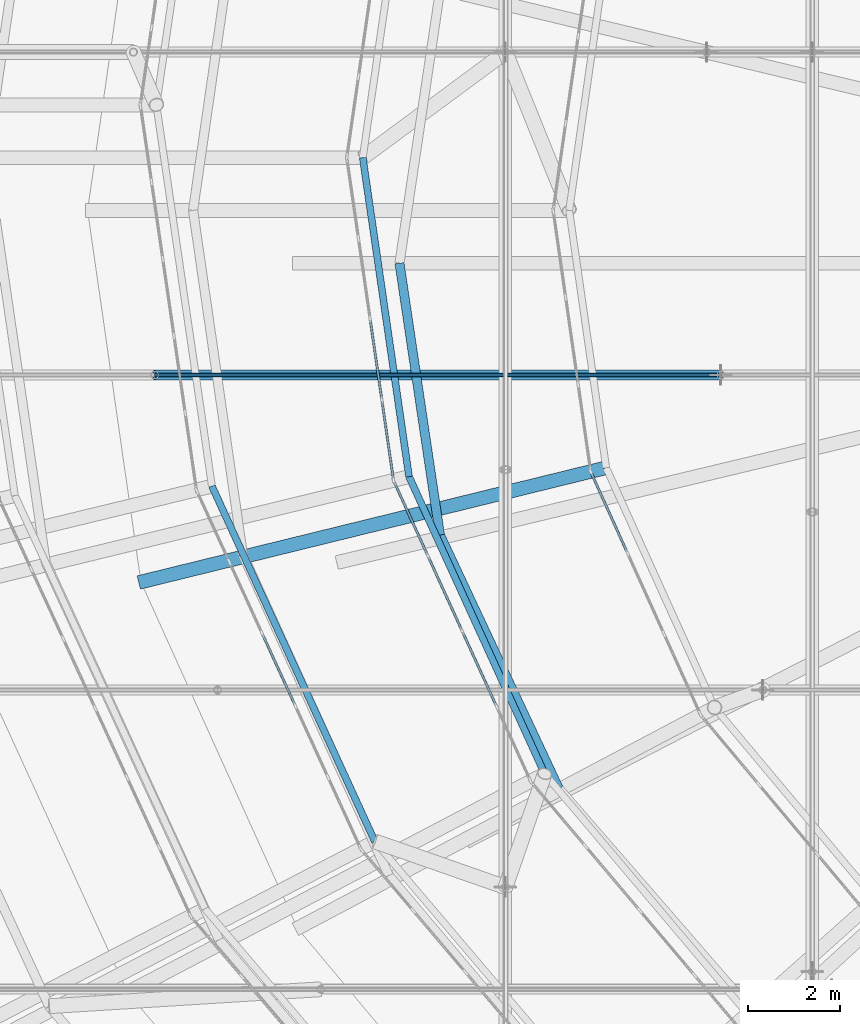
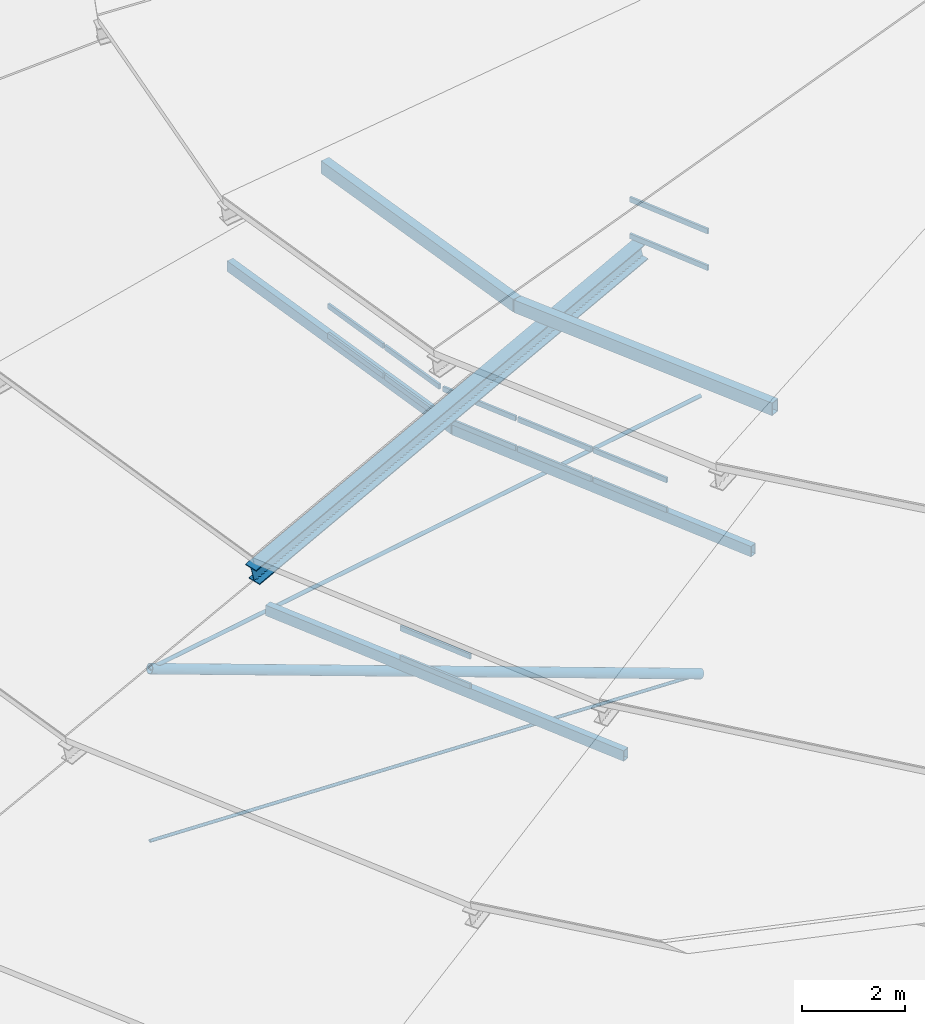
# One storey, part 34 of 173: 23 members, 4 elements without a shape of their own.
"""IFC4 building model written with IfcOpenShell, lengths in metres."""

from ifc_helpers import new_model, si_unit, direction, frame, origin, origin_2d, place, context, subcontext, project, spatial, rectangle, hollow_rectangle, circle, hollow_circle, i_section, extrude, material, material_profile, profile_set, type_object, element, aggregate, save


model = new_model("IFC4")

# Units and contexts
model_context = context("Model", 3, precision=1e-05, world=origin(), true_north=direction((0.0, 1.0)))
body_context = subcontext(model_context, "Body", "Model", "MODEL_VIEW")
ifc_project = project(units=[si_unit("LENGTHUNIT", "METRE"), si_unit("AREAUNIT", "SQUARE_METRE"), si_unit("VOLUMEUNIT", "CUBIC_METRE"), si_unit("PLANEANGLEUNIT", "RADIAN"), si_unit("MASSUNIT", "GRAM", prefix="KILO")], contexts=[model_context])

# Site, building, storey
site_placement = place(None, origin())
site = spatial("IfcSite", under=ifc_project, at=site_placement, CompositionType="ELEMENT")
building_placement = place(site_placement, origin())
building = spatial("IfcBuilding", under=site, at=building_placement, Name="Glasvene Arena", CompositionType="ELEMENT")
storey_placement = place(building_placement, frame((0.0, 0.0, 28.800048828125)))
storey = spatial("IfcBuildingStorey", under=building, at=storey_placement, Name="RF", CompositionType="ELEMENT", Elevation=28.800048828125)

# Curtain wall, members
ifc_material_1 = material(Name="Low-emissivity laminated double glazing", Category="glass")
curtain_wall_type_1 = type_object("IfcCurtainWallType", Name="CW-PET2-861x75", PredefinedType="USERDEFINED", material=ifc_material_1)
curtain_wall_1_placement = place(storey_placement, frame((55.873291015625, 63.451416015625, 0.0)))
curtain_wall_1 = element("IfcCurtainWall", 1, at=curtain_wall_1_placement, inside=storey, type_object=curtain_wall_type_1, Name="Petal ring 2-3 clerestory curtain wall 14", ObjectType="CURTAIN WALL", PredefinedType="USERDEFINED")
ifc_material_2 = material(Name="Anodised architectural aluminium", Category="aluminium")
ifc_material_profile_1 = material_profile(ifc_material_2, rectangle(XDim=0.050048828125, YDim=0.1201171875, at=origin_2d()), Name="ALU TRANSOM 50x120")
ifc_profile_set_1 = profile_set([ifc_material_profile_1], Name="Anodised architectural aluminium")
member_type_1 = type_object("IfcMemberType", Name="CW-TRN-120", PredefinedType="USERDEFINED", material=ifc_profile_set_1)
member_1_placement = place(storey_placement, frame((57.318359375, 60.298095703125, 5.204833984375), z_axis=(0.416518928458, -0.909127044057, 0.0), x_axis=(0.909127044057, 0.416518928458, 0.0)))
member_1 = element("IfcMember", 2, at=member_1_placement, type_object=member_type_1, Name="CW-088 transom 3.1", ObjectType="TRANSOM", PredefinedType="USERDEFINED", context=body_context, shape_type="SweptSolid", body=[
    extrude(rectangle(XDim=0.050048828125, YDim=0.1201171875, at=origin_2d()), origin(), (0.0, 0.0, 1.0), 1.671630859375),
])
member_2_placement = place(storey_placement, frame((57.318359375, 60.298095703125, 5.905029296875), z_axis=(0.416518928458, -0.909127044057, 0.0), x_axis=(0.909127044057, 0.416518928458, 0.0)))
member_2 = element("IfcMember", 3, at=member_2_placement, type_object=member_type_1, Name="CW-088 transom 3.2", ObjectType="TRANSOM", PredefinedType="USERDEFINED", context=body_context, shape_type="SweptSolid", body=[
    extrude(rectangle(XDim=0.050048828125, YDim=0.1201171875, at=origin_2d()), origin(), (0.0, 0.0, 1.0), 1.671630859375),
])
aggregate(curtain_wall_1, [member_1, member_2])

curtain_wall_type_2 = type_object("IfcCurtainWallType", Name="CW-PET3-711x75", PredefinedType="USERDEFINED", material=ifc_material_1)
curtain_wall_2_placement = place(storey_placement, frame((59.14990234375, 70.699951171875, 0.0)))
curtain_wall_2 = element("IfcCurtainWall", 4, at=curtain_wall_2_placement, inside=storey, type_object=curtain_wall_type_2, Name="Petal ring 3-4 clerestory curtain wall 13", ObjectType="CURTAIN WALL", PredefinedType="USERDEFINED")
member_3_placement = place(storey_placement, frame((59.663818359375, 67.1552734375, 7.85498046875), z_axis=(0.143517295736, -0.989647808983, 0.0), x_axis=(0.989647808983, 0.143517295736, 0.0)))
member_3 = element("IfcMember", 5, at=member_3_placement, type_object=member_type_1, Name="CW-093 transom 3.1", ObjectType="TRANSOM", PredefinedType="USERDEFINED", context=body_context, shape_type="SweptSolid", body=[
    extrude(rectangle(XDim=0.050048828125, YDim=0.1201171875, at=origin_2d()), origin(), (0.0, 0.0, 1.0), 1.728271484375),
])
member_4_placement = place(storey_placement, frame((59.663818359375, 67.1552734375, 8.554931640625), z_axis=(0.143517295736, -0.989647808983, 0.0), x_axis=(0.989647808983, 0.143517295736, 0.0)))
member_4 = element("IfcMember", 6, at=member_4_placement, type_object=member_type_1, Name="CW-093 transom 3.2", ObjectType="TRANSOM", PredefinedType="USERDEFINED", context=body_context, shape_type="SweptSolid", body=[
    extrude(rectangle(XDim=0.050048828125, YDim=0.1201171875, at=origin_2d()), origin(), (0.0, 0.0, 1.0), 1.728271484375),
])
member_5_placement = place(storey_placement, frame((59.9189453125, 65.395263671875, 7.85498046875), z_axis=(0.143467726456, -0.989654996181, 0.0), x_axis=(0.989654996181, 0.143467726456, 0.0)))
member_5 = element("IfcMember", 7, at=member_5_placement, type_object=member_type_1, Name="CW-093 transom 4.1", ObjectType="TRANSOM", PredefinedType="USERDEFINED", context=body_context, shape_type="SweptSolid", body=[
    extrude(rectangle(XDim=0.050048828125, YDim=0.1201171875, at=origin_2d()), origin(), (0.0, 0.0, 1.0), 1.703369140625),
])
member_6_placement = place(storey_placement, frame((59.9189453125, 65.395263671875, 8.554931640625), z_axis=(0.143467726456, -0.989654996181, 0.0), x_axis=(0.989654996181, 0.143467726456, 0.0)))
member_6 = element("IfcMember", 8, at=member_6_placement, type_object=member_type_1, Name="CW-093 transom 4.2", ObjectType="TRANSOM", PredefinedType="USERDEFINED", context=body_context, shape_type="SweptSolid", body=[
    extrude(rectangle(XDim=0.050048828125, YDim=0.1201171875, at=origin_2d()), origin(), (0.0, 0.0, 1.0), 1.703369140625),
])
aggregate(curtain_wall_2, [member_3, member_4, member_5, member_6])

curtain_wall_type_3 = type_object("IfcCurtainWallType", Name="CW-PET3-721x75", PredefinedType="USERDEFINED", material=ifc_material_1)
curtain_wall_3_placement = place(storey_placement, frame((60.17041015625, 63.66015625, 0.0)))
curtain_wall_3 = element("IfcCurtainWall", 9, at=curtain_wall_3_placement, inside=storey, type_object=curtain_wall_type_3, Name="Petal ring 3-4 clerestory curtain wall 14", ObjectType="CURTAIN WALL", PredefinedType="USERDEFINED")
member_7_placement = place(storey_placement, frame((60.191162109375, 63.614501953125, 7.85498046875), z_axis=(0.415048276668, -0.909799388896, 0.0), x_axis=(0.909799388896, 0.415048276668, 0.0)))
member_7 = element("IfcMember", 10, at=member_7_placement, type_object=member_type_1, Name="CW-094 transom 1.1", ObjectType="TRANSOM", PredefinedType="USERDEFINED", context=body_context, shape_type="SweptSolid", body=[
    extrude(rectangle(XDim=0.050048828125, YDim=0.1201171875, at=origin_2d()), origin(), (0.0, 0.0, 1.0), 1.7275390625),
])
member_8_placement = place(storey_placement, frame((60.191162109375, 63.614501953125, 8.554931640625), z_axis=(0.415048276668, -0.909799388896, 0.0), x_axis=(0.909799388896, 0.415048276668, 0.0)))
member_8 = element("IfcMember", 11, at=member_8_placement, type_object=member_type_1, Name="CW-094 transom 1.2", ObjectType="TRANSOM", PredefinedType="USERDEFINED", context=body_context, shape_type="SweptSolid", body=[
    extrude(rectangle(XDim=0.050048828125, YDim=0.1201171875, at=origin_2d()), origin(), (0.0, 0.0, 1.0), 1.7275390625),
])
member_9_placement = place(storey_placement, frame((60.928955078125, 61.997314453125, 7.85498046875), z_axis=(0.414883784747, -0.909874411748, 0.0), x_axis=(0.909874411748, 0.414883784747, 0.0)))
member_9 = element("IfcMember", 12, at=member_9_placement, type_object=member_type_1, Name="CW-094 transom 2.1", ObjectType="TRANSOM", PredefinedType="USERDEFINED", context=body_context, shape_type="SweptSolid", body=[
    extrude(rectangle(XDim=0.050048828125, YDim=0.1201171875, at=origin_2d()), origin(), (0.0, 0.0, 1.0), 1.75244140625),
])
member_10_placement = place(storey_placement, frame((60.928955078125, 61.997314453125, 8.554931640625), z_axis=(0.414883784747, -0.909874411748, 0.0), x_axis=(0.909874411748, 0.414883784747, 0.0)))
member_10 = element("IfcMember", 13, at=member_10_placement, type_object=member_type_1, Name="CW-094 transom 2.2", ObjectType="TRANSOM", PredefinedType="USERDEFINED", context=body_context, shape_type="SweptSolid", body=[
    extrude(rectangle(XDim=0.050048828125, YDim=0.1201171875, at=origin_2d()), origin(), (0.0, 0.0, 1.0), 1.75244140625),
])
member_11_placement = place(storey_placement, frame((61.6767578125, 60.357421875, 7.85498046875), z_axis=(0.414946517338, -0.909845804381, 0.0), x_axis=(0.909845804381, 0.414946517338, 0.0)))
member_11 = element("IfcMember", 14, at=member_11_placement, type_object=member_type_1, Name="CW-094 transom 3.1", ObjectType="TRANSOM", PredefinedType="USERDEFINED", context=body_context, shape_type="SweptSolid", body=[
    extrude(rectangle(XDim=0.050048828125, YDim=0.1201171875, at=origin_2d()), origin(), (0.0, 0.0, 1.0), 1.752685546875),
])
member_12_placement = place(storey_placement, frame((61.6767578125, 60.357421875, 8.554931640625), z_axis=(0.414946517338, -0.909845804381, 0.0), x_axis=(0.909845804381, 0.414946517338, 0.0)))
member_12 = element("IfcMember", 15, at=member_12_placement, type_object=member_type_1, Name="CW-094 transom 3.2", ObjectType="TRANSOM", PredefinedType="USERDEFINED", context=body_context, shape_type="SweptSolid", body=[
    extrude(rectangle(XDim=0.050048828125, YDim=0.1201171875, at=origin_2d()), origin(), (0.0, 0.0, 1.0), 1.752685546875),
])
aggregate(curtain_wall_3, [member_7, member_8, member_9, member_10, member_11, member_12])

curtain_wall_type_4 = type_object("IfcCurtainWallType", Name="CW-PET4-582x92", PredefinedType="USERDEFINED", material=ifc_material_1)
curtain_wall_4_placement = place(storey_placement, frame((64.4677734375, 63.85595703125, 0.0)))
curtain_wall_4 = element("IfcCurtainWall", 16, at=curtain_wall_4_placement, inside=storey, type_object=curtain_wall_type_4, Name="Petal ring 4-5 clerestory curtain wall 14", ObjectType="CURTAIN WALL", PredefinedType="USERDEFINED")
member_13_placement = place(storey_placement, frame((64.48828125, 63.810546875, 10.554931640625), z_axis=(0.41175148057, -0.911296174824, 0.0), x_axis=(0.911296174824, 0.41175148057, 0.0)))
member_13 = element("IfcMember", 17, at=member_13_placement, type_object=member_type_1, Name="CW-100 transom 1.1", ObjectType="TRANSOM", PredefinedType="USERDEFINED", context=body_context, shape_type="SweptSolid", body=[
    extrude(rectangle(XDim=0.050048828125, YDim=0.1201171875, at=origin_2d()), origin(), (0.0, 0.0, 1.0), 1.865966796875),
])
member_14_placement = place(storey_placement, frame((64.48828125, 63.810546875, 11.4208984375), z_axis=(0.41175148057, -0.911296174824, 0.0), x_axis=(0.911296174824, 0.41175148057, 0.0)))
member_14 = element("IfcMember", 18, at=member_14_placement, type_object=member_type_1, Name="CW-100 transom 1.2", ObjectType="TRANSOM", PredefinedType="USERDEFINED", context=body_context, shape_type="SweptSolid", body=[
    extrude(rectangle(XDim=0.050048828125, YDim=0.1201171875, at=origin_2d()), origin(), (0.0, 0.0, 1.0), 1.865966796875),
])
aggregate(curtain_wall_4, [member_13, member_14])

# Members
ifc_material_3 = material(Name="High-strength steel spiral strand S460", Category="steel")
ifc_material_profile_2 = material_profile(ifc_material_3, circle(Radius=0.03759765625, at=origin_2d()), Name="LCSS D75")
ifc_profile_set_2 = profile_set([ifc_material_profile_2], Name="High-strength steel spiral strand S460")
member_type_2 = type_object("IfcMemberType", Name="MB-CABLE-75", PredefinedType="USERDEFINED", material=ifc_profile_set_2)
member_15_placement = place(storey_placement, frame((54.961669921875, 65.96044921875, -1.753173828125), z_axis=(0.99957662633, 0.0, -0.029095843266), x_axis=(0.0, 1.0, 0.0)))
element("IfcMember", 19, at=member_15_placement, inside=storey, type_object=member_type_2, Name="Lower stabilization roof cable EW03-02", ObjectType="ROOF CABLE", PredefinedType="USERDEFINED", context=body_context, shape_type="SweptSolid", body=[
    extrude(circle(Radius=0.03759765625, at=origin_2d()), origin(), (0.0, 0.0, 1.0), 12.351318359375),
])
ifc_material_profile_3 = material_profile(ifc_material_3, circle(Radius=0.044921875, at=origin_2d()), Name="LCSS D90")
ifc_profile_set_3 = profile_set([ifc_material_profile_3], Name="High-strength steel spiral strand S460")
member_type_3 = type_object("IfcMemberType", Name="MB-CABLE-90", PredefinedType="USERDEFINED", material=ifc_profile_set_3)
member_16_placement = place(storey_placement, frame((54.961669921875, 65.96044921875, 2.328857421875), z_axis=(0.98525376548, 0.0, 0.171099437778), x_axis=(0.0, 1.0, 0.0)))
element("IfcMember", 20, at=member_16_placement, inside=storey, type_object=member_type_3, Name="Upper lens roof cable EW03-02", ObjectType="ROOF CABLE", PredefinedType="USERDEFINED", context=body_context, shape_type="SweptSolid", body=[
    extrude(circle(Radius=0.044921875, at=origin_2d()), origin(), (0.0, 0.0, 1.0), 12.531005859375),
])
ifc_material_4 = material(Name="Steel S355J2", Category="steel")
ifc_material_profile_4 = material_profile(ifc_material_4, i_section(OverallWidth=0.300048828125, OverallDepth=0.39990234375, WebThickness=0.013427734375, FlangeThickness=0.02392578125, FilletRadius=0.027099609375, at=origin_2d()), Name="HEB 400")
ifc_profile_set_4 = profile_set([ifc_material_profile_4], Name="Steel S355J2")
member_type_4 = type_object("IfcMemberType", Name="MB-CHORD-HEB400", PredefinedType="CHORD", material=ifc_profile_set_4)
member_17_placement = place(storey_placement, frame((54.66357421875, 61.448974609375, 7.39990234375), z_axis=(0.941311100722, 0.231164235842, 0.245960378363), x_axis=(-0.2384906979, 0.971144781696, 0.0)))
element("IfcMember", 21, at=member_17_placement, inside=storey, type_object=member_type_4, Name="Petal ring 4 radial rib 14", PredefinedType="CHORD", context=body_context, shape_type="SweptSolid", body=[
    extrude(i_section(OverallWidth=0.300048828125, OverallDepth=0.39990234375, WebThickness=0.013427734375, FlangeThickness=0.02392578125, FilletRadius=0.027099609375, at=origin_2d()), origin(), (0.0, 0.0, 1.0), 10.774658203125),
])
ifc_material_profile_5 = material_profile(ifc_material_4, hollow_rectangle(XDim=0.14990234375, YDim=0.25, WallThickness=0.010009765625, at=origin_2d()), Name="RHS 250x150x10.0")
ifc_profile_set_5 = profile_set([ifc_material_profile_5], Name="Steel S355J2")
member_type_5 = type_object("IfcMemberType", Name="MB-PURLIN-RHS250", PredefinedType="PURLIN", material=ifc_profile_set_5)
member_18_placement = place(storey_placement, frame((56.211181640625, 63.5380859375, 4.781982421875), z_axis=(0.416805653685, -0.908995625433, 0.0), x_axis=(0.908995625433, 0.416805653685, 0.0)))
element("IfcMember", 22, at=member_18_placement, inside=storey, type_object=member_type_5, Name="Petal ring 2 ridge purlin 14", PredefinedType="PURLIN", context=body_context, shape_type="SweptSolid", body=[
    extrude(hollow_rectangle(XDim=0.14990234375, YDim=0.25, WallThickness=0.010009765625, at=origin_2d()), origin(), (0.0, 0.0, 1.0), 8.520751953125),
])
member_19_placement = place(storey_placement, frame((59.5, 70.699951171875, 7.431884765625), z_axis=(0.143527213772, -0.989646370633, 0.0), x_axis=(0.989646370633, 0.143527213772, 0.0)))
element("IfcMember", 23, at=member_19_placement, inside=storey, type_object=member_type_5, Name="Petal ring 3 ridge purlin 13", PredefinedType="PURLIN", context=body_context, shape_type="SweptSolid", body=[
    extrude(hollow_rectangle(XDim=0.14990234375, YDim=0.25, WallThickness=0.010009765625, at=origin_2d()), origin(), (0.0, 0.0, 1.0), 7.02685546875),
])
member_20_placement = place(storey_placement, frame((60.508544921875, 63.745849609375, 7.431884765625), z_axis=(0.415165944447, -0.909745699947, 0.0), x_axis=(0.909745699947, 0.415165944447, 0.0)))
element("IfcMember", 24, at=member_20_placement, inside=storey, type_object=member_type_5, Name="Petal ring 3 ridge purlin 14", PredefinedType="PURLIN", context=body_context, shape_type="SweptSolid", body=[
    extrude(hollow_rectangle(XDim=0.14990234375, YDim=0.25, WallThickness=0.010009765625, at=origin_2d()), origin(), (0.0, 0.0, 1.0), 7.123046875),
])
ifc_material_profile_6 = material_profile(ifc_material_4, hollow_rectangle(XDim=0.199951171875, YDim=0.300048828125, WallThickness=0.012451171875, at=origin_2d()), Name="RHS 300x200x12.5")
ifc_profile_set_6 = profile_set([ifc_material_profile_6], Name="Steel S355J2")
member_type_6 = type_object("IfcMemberType", Name="MB-PURLIN-RHS300", PredefinedType="PURLIN", material=ifc_profile_set_6)
member_21_placement = place(storey_placement, frame((60.300048828125, 68.39990234375, 10.9013671875), z_axis=(0.147282469644, -0.989094471795, 0.0), x_axis=(0.989094471795, 0.147282469644, 0.0)))
element("IfcMember", 25, at=member_21_placement, inside=storey, type_object=member_type_6, Name="Petal ring 5 outer purlin 13", PredefinedType="PURLIN", context=body_context, shape_type="SweptSolid", body=[
    extrude(hollow_rectangle(XDim=0.199951171875, YDim=0.300048828125, WallThickness=0.012451171875, at=origin_2d()), origin(), (0.0, 0.0, 1.0), 5.992431640625),
])
member_22_placement = place(storey_placement, frame((61.1826171875, 62.472900390625, 10.9013671875), z_axis=(0.424234903245, -0.905552177883, 0.0), x_axis=(0.905552177883, 0.424234903245, 0.0)))
element("IfcMember", 26, at=member_22_placement, inside=storey, type_object=member_type_6, Name="Petal ring 5 outer purlin 14", PredefinedType="PURLIN", context=body_context, shape_type="SweptSolid", body=[
    extrude(hollow_rectangle(XDim=0.199951171875, YDim=0.300048828125, WallThickness=0.012451171875, at=origin_2d()), origin(), (0.0, 0.0, 1.0), 6.098876953125),
])
ifc_material_profile_7 = material_profile(ifc_material_4, hollow_circle(Radius=0.109619140625, WallThickness=0.010009765625, at=origin_2d()), Name="CHS 219.1x10.0")
ifc_profile_set_7 = profile_set([ifc_material_profile_7], Name="Steel S355J2")
member_type_7 = type_object("IfcMemberType", Name="MB-WEB-CHS219", PredefinedType="BRACE", material=ifc_profile_set_7)
member_23_placement = place(storey_placement, frame((54.961669921875, 65.96044921875, 2.328857421875), z_axis=(0.940965663456, 0.0, -0.338502023919), x_axis=(0.0, 1.0, 0.0)))
element("IfcMember", 27, at=member_23_placement, inside=storey, type_object=member_type_7, Name="Cable-truss diagonal web strut EW03-02", PredefinedType="BRACE", context=body_context, shape_type="SweptSolid", body=[
    extrude(hollow_circle(Radius=0.109619140625, WallThickness=0.010009765625, at=origin_2d()), origin(), (0.0, 0.0, 1.0), 13.120849609375),
])

save(model, "model.ifc")
